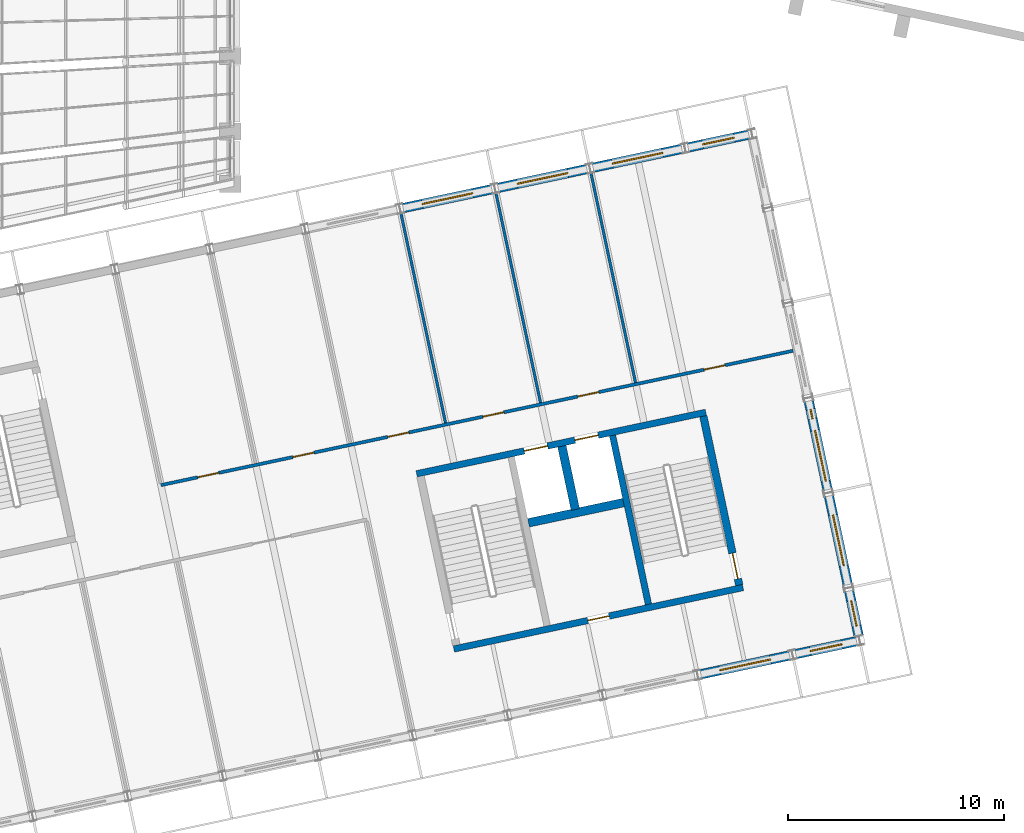
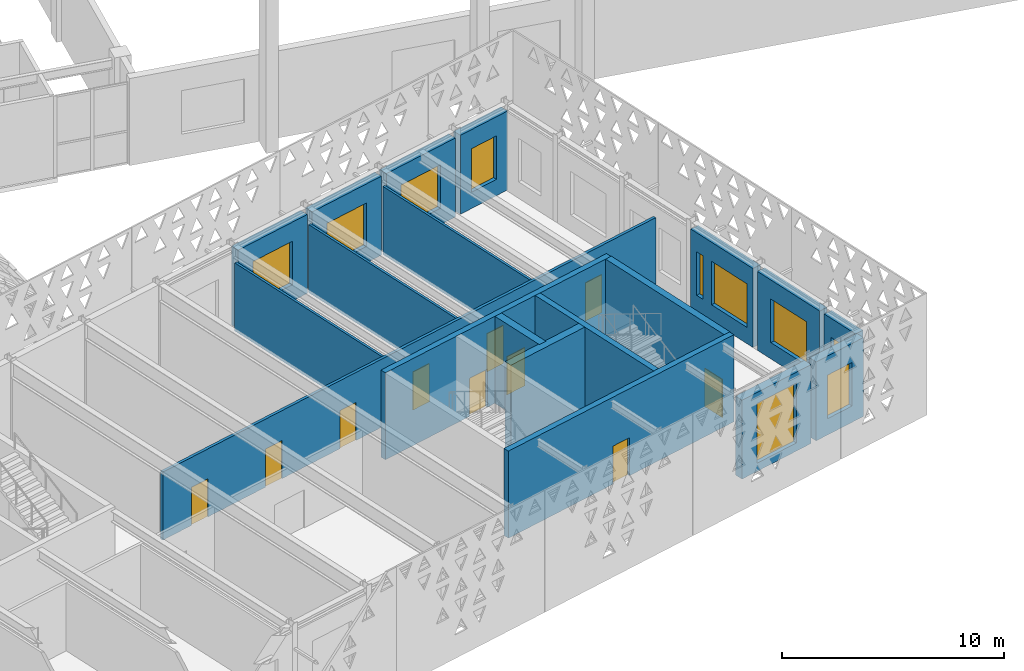
# One storey, part 133 of 182: 19 walls, 10 doors, 10 windows, 20 openings.
"""IFC4 building model written with IfcOpenShell, lengths in metres."""

from ifc_helpers import new_model, si_unit, direction, frame, frame_2d, origin, place, context, subcontext, project, spatial, rectangle, extrude, material, layer, layer_set, type_object, element, fill, save


model = new_model("IFC4")

# Units and contexts
model_context = context("Model", 3, precision=1e-05, world=origin(), true_north=direction((0.0, 1.0)))
body_context = subcontext(model_context, "Body", "Model", "MODEL_VIEW")
ifc_project = project(units=[si_unit("LENGTHUNIT", "METRE"), si_unit("AREAUNIT", "SQUARE_METRE"), si_unit("VOLUMEUNIT", "CUBIC_METRE"), si_unit("PLANEANGLEUNIT", "RADIAN"), si_unit("MASSUNIT", "GRAM", prefix="KILO")], contexts=[model_context])

# Site, building, storey
site_placement = place(None, origin())
site = spatial("IfcSite", under=ifc_project, at=site_placement, CompositionType="ELEMENT")
building_placement = place(site_placement, origin())
building = spatial("IfcBuilding", under=site, at=building_placement, Name="Okhra Congress Centre", CompositionType="ELEMENT")
storey_placement = place(building_placement, frame((0.0, 0.0, 7.199951171875)))
storey = spatial("IfcBuildingStorey", under=building, at=storey_placement, Name="L01", CompositionType="ELEMENT", Elevation=7.199951171875)

# Wall, opening, window
ifc_material_1 = material(Name="Insulated metal panel on steel stud (mineral wool, vapour barrier)", Category="steel")
ifc_layer_1 = layer(ifc_material_1, 0.449951171875)
ifc_layer_set_1 = layer_set([ifc_layer_1], Name="Insulated wall 450")
wall_type_1 = type_object("IfcWallType", Name="Insulated wall 450", PredefinedType="SOLIDWALL", material=ifc_layer_set_1)
wall_1_placement = place(storey_placement, frame((210.814208984375, 58.65087890625, 0.0), z_axis=(0.0, 0.0, 1.0), x_axis=(0.978146440129, 0.207917150959, 0.0)))
wall_1 = element("IfcWall", 1, at=wall_1_placement, inside=storey, type_object=wall_type_1, Name="External wall S35 L01", PredefinedType="SOLIDWALL", context=body_context, shape_type="SweptSolid", body=[
    extrude(rectangle(XDim=4.2001953125, YDim=0.449951171875, at=frame_2d((2.10009765625, 0.0))), origin(), (0.0, 0.0, 1.0), 4.35009765625),
])
opening_1_placement = place(wall_1_placement, frame((0.89990234375, 0.0, 0.449951171875)))
opening_1 = element("IfcOpeningElement", 2, at=opening_1_placement, cuts=wall_1, Name="Opening WN21", PredefinedType="OPENING", context=body_context, shape_type="SweptSolid", body=[
    extrude(rectangle(XDim=2.39990234375, YDim=3.300048828125, at=frame_2d((1.199951171875, 1.64990234375))), frame((0.0, 0.23486328125, 0.0), z_axis=(0.0, -1.0, 0.0), x_axis=(1.0, 0.0, 0.0)), (0.0, 0.0, 1.0), 0.469970703125),
])
ifc_material_2 = material(Name="Thermally broken aluminium frame, triple glazing", Category="aluminium")
window_type_1 = type_object("IfcWindowType", Name="Two-light window 2400x3300", PartitioningType="DOUBLE_PANEL_VERTICAL", PredefinedType="WINDOW", material=ifc_material_2)
window_1_placement = place(opening_1_placement, origin())
window_1 = element("IfcWindow", 3, at=window_1_placement, inside=storey, type_object=window_type_1, Name="BX.WIN.L01.35", OverallHeight=3.300048828125, OverallWidth=2.39990234375, PartitioningType="DOUBLE_PANEL_VERTICAL", PredefinedType="WINDOW", context=body_context, shape_type="SweptSolid", body=[
    extrude(rectangle(XDim=2.39990234375, YDim=3.300048828125, at=frame_2d((1.199951171875, 1.64990234375))), frame((0.0, 0.030029296875, 0.0), z_axis=(0.0, -1.0, 0.0), x_axis=(1.0, 0.0, 0.0)), (0.0, 0.0, 1.0), 0.06005859375),
])
fill(opening_1, window_1)

wall_2_placement = place(storey_placement, frame((215.216064453125, 59.58642578125, 0.0), z_axis=(0.0, 0.0, 1.0), x_axis=(0.978134239598, 0.207974540092, 0.0)))
wall_2 = element("IfcWall", 4, at=wall_2_placement, inside=storey, type_object=wall_type_1, Name="External wall S36 L01", PredefinedType="SOLIDWALL", context=body_context, shape_type="SweptSolid", body=[
    extrude(rectangle(XDim=2.874755859375, YDim=0.449951171875, at=frame_2d((1.4375, 0.0))), origin(), (0.0, 0.0, 1.0), 4.35009765625),
])
opening_2_placement = place(wall_2_placement, frame((0.6875, 0.0, 0.89990234375)))
opening_2 = element("IfcOpeningElement", 5, at=opening_2_placement, cuts=wall_2, Name="Opening WN20", PredefinedType="OPENING", context=body_context, shape_type="SweptSolid", body=[
    extrude(rectangle(XDim=1.5, YDim=2.39990234375, at=frame_2d((0.75, 1.199951171875))), frame((0.0, 0.23486328125, 0.0), z_axis=(0.0, -1.0, 0.0), x_axis=(1.0, 0.0, 0.0)), (0.0, 0.0, 1.0), 0.469970703125),
])
window_type_2 = type_object("IfcWindowType", Name="Fixed window 1500x2400", PartitioningType="SINGLE_PANEL", PredefinedType="WINDOW", material=ifc_material_2)
window_2_placement = place(opening_2_placement, origin())
window_2 = element("IfcWindow", 6, at=window_2_placement, inside=storey, type_object=window_type_2, Name="BX.WIN.L01.36", OverallHeight=2.39990234375, OverallWidth=1.5, PartitioningType="SINGLE_PANEL", PredefinedType="WINDOW", context=body_context, shape_type="SweptSolid", body=[
    extrude(rectangle(XDim=1.5, YDim=2.39990234375, at=frame_2d((0.75, 1.199951171875))), frame((0.0, 0.030029296875, 0.0), z_axis=(0.0, -1.0, 0.0), x_axis=(1.0, 0.0, 0.0)), (0.0, 0.0, 1.0), 0.06005859375),
])
fill(opening_2, window_2)

wall_3_placement = place(storey_placement, frame((197.02099609375, 80.25537109375, 0.0), z_axis=(0.0, 0.0, 1.0), x_axis=(0.97815826, 0.207861536591, 0.0)))
wall_3 = element("IfcWall", 7, at=wall_3_placement, inside=storey, type_object=wall_type_1, Name="External wall N33 L01", PredefinedType="SOLIDWALL", context=body_context, shape_type="SweptSolid", body=[
    extrude(rectangle(XDim=4.2001953125, YDim=0.449951171875, at=frame_2d((2.10009765625, 0.0))), origin(), (0.0, 0.0, 1.0), 4.35009765625),
])
opening_3_placement = place(wall_3_placement, frame((0.89990234375, 0.0, 0.89990234375)))
opening_3 = element("IfcOpeningElement", 8, at=opening_3_placement, cuts=wall_3, Name="Opening WN22", PredefinedType="OPENING", context=body_context, shape_type="SweptSolid", body=[
    extrude(rectangle(XDim=2.39990234375, YDim=2.39990234375, at=frame_2d((1.199951171875, 1.199951171875))), frame((0.0, 0.23486328125, 0.0), z_axis=(0.0, -1.0, 0.0), x_axis=(1.0, 0.0, 0.0)), (0.0, 0.0, 1.0), 0.469970703125),
])
window_type_3 = type_object("IfcWindowType", Name="Fixed window 2400x2400", PartitioningType="SINGLE_PANEL", PredefinedType="WINDOW", material=ifc_material_2)
window_3_placement = place(opening_3_placement, origin())
window_3 = element("IfcWindow", 9, at=window_3_placement, inside=storey, type_object=window_type_3, Name="BX.WIN.L01.60", OverallHeight=2.39990234375, OverallWidth=2.39990234375, PartitioningType="SINGLE_PANEL", PredefinedType="WINDOW", context=body_context, shape_type="SweptSolid", body=[
    extrude(rectangle(XDim=2.39990234375, YDim=2.39990234375, at=frame_2d((1.199951171875, 1.199951171875))), frame((0.0, 0.030029296875, 0.0), z_axis=(0.0, -1.0, 0.0), x_axis=(1.0, 0.0, 0.0)), (0.0, 0.0, 1.0), 0.06005859375),
])
fill(opening_3, window_3)

wall_4_placement = place(storey_placement, frame((201.4228515625, 81.19091796875, 0.0), z_axis=(0.0, 0.0, 1.0), x_axis=(0.978155748334, 0.207873355681, 0.0)))
wall_4 = element("IfcWall", 10, at=wall_4_placement, inside=storey, type_object=wall_type_1, Name="External wall N34 L01", PredefinedType="SOLIDWALL", context=body_context, shape_type="SweptSolid", body=[
    extrude(rectangle(XDim=4.199951171875, YDim=0.449951171875, at=frame_2d((2.10009765625, 0.0))), origin(), (0.0, 0.0, 1.0), 4.35009765625),
])
opening_4_placement = place(wall_4_placement, frame((0.89990234375, 0.0, 0.89990234375)))
opening_4 = element("IfcOpeningElement", 11, at=opening_4_placement, cuts=wall_4, Name="Opening WN22", PredefinedType="OPENING", context=body_context, shape_type="SweptSolid", body=[
    extrude(rectangle(XDim=2.39990234375, YDim=2.39990234375, at=frame_2d((1.199951171875, 1.199951171875))), frame((0.0, 0.23486328125, 0.0), z_axis=(0.0, -1.0, 0.0), x_axis=(1.0, 0.0, 0.0)), (0.0, 0.0, 1.0), 0.469970703125),
])
window_4_placement = place(opening_4_placement, origin())
window_4 = element("IfcWindow", 12, at=window_4_placement, inside=storey, type_object=window_type_3, Name="BX.WIN.L01.61", OverallHeight=2.39990234375, OverallWidth=2.39990234375, PartitioningType="SINGLE_PANEL", PredefinedType="WINDOW", context=body_context, shape_type="SweptSolid", body=[
    extrude(rectangle(XDim=2.39990234375, YDim=2.39990234375, at=frame_2d((1.199951171875, 1.199951171875))), frame((0.0, 0.030029296875, 0.0), z_axis=(0.0, -1.0, 0.0), x_axis=(1.0, 0.0, 0.0)), (0.0, 0.0, 1.0), 0.06005859375),
])
fill(opening_4, window_4)

wall_5_placement = place(storey_placement, frame((205.824462890625, 82.12646484375, 0.0), z_axis=(0.0, 0.0, 1.0), x_axis=(0.978143927149, 0.207928972925, 0.0)))
wall_5 = element("IfcWall", 13, at=wall_5_placement, inside=storey, type_object=wall_type_1, Name="External wall N35 L01", PredefinedType="SOLIDWALL", context=body_context, shape_type="SweptSolid", body=[
    extrude(rectangle(XDim=4.199951171875, YDim=0.449951171875, at=frame_2d((2.10009765625, 0.0))), origin(), (0.0, 0.0, 1.0), 4.35009765625),
])
opening_5_placement = place(wall_5_placement, frame((0.89990234375, 0.0, 0.89990234375)))
opening_5 = element("IfcOpeningElement", 14, at=opening_5_placement, cuts=wall_5, Name="Opening WN22", PredefinedType="OPENING", context=body_context, shape_type="SweptSolid", body=[
    extrude(rectangle(XDim=2.39990234375, YDim=2.39990234375, at=frame_2d((1.199951171875, 1.199951171875))), frame((0.0, 0.23486328125, 0.0), z_axis=(0.0, -1.0, 0.0), x_axis=(1.0, 0.0, 0.0)), (0.0, 0.0, 1.0), 0.469970703125),
])
window_5_placement = place(opening_5_placement, origin())
window_5 = element("IfcWindow", 15, at=window_5_placement, inside=storey, type_object=window_type_3, Name="BX.WIN.L01.62", OverallHeight=2.39990234375, OverallWidth=2.39990234375, PartitioningType="SINGLE_PANEL", PredefinedType="WINDOW", context=body_context, shape_type="SweptSolid", body=[
    extrude(rectangle(XDim=2.39990234375, YDim=2.39990234375, at=frame_2d((1.199951171875, 1.199951171875))), frame((0.0, 0.030029296875, 0.0), z_axis=(0.0, -1.0, 0.0), x_axis=(1.0, 0.0, 0.0)), (0.0, 0.0, 1.0), 0.06005859375),
])
fill(opening_5, window_5)

wall_6_placement = place(storey_placement, frame((210.22607421875, 83.06201171875, 0.0), z_axis=(0.0, 0.0, 1.0), x_axis=(0.978137912316, 0.207957266018, 0.0)))
wall_6 = element("IfcWall", 16, at=wall_6_placement, inside=storey, type_object=wall_type_1, Name="External wall N36 L01", PredefinedType="SOLIDWALL", context=body_context, shape_type="SweptSolid", body=[
    extrude(rectangle(XDim=2.875, YDim=0.449951171875, at=frame_2d((1.4375, 0.0))), origin(), (0.0, 0.0, 1.0), 4.35009765625),
])
opening_6_placement = place(wall_6_placement, frame((0.6875, 0.0, 0.89990234375)))
opening_6 = element("IfcOpeningElement", 17, at=opening_6_placement, cuts=wall_6, Name="Opening WN20", PredefinedType="OPENING", context=body_context, shape_type="SweptSolid", body=[
    extrude(rectangle(XDim=1.5, YDim=2.39990234375, at=frame_2d((0.75, 1.199951171875))), frame((0.0, 0.23486328125, 0.0), z_axis=(0.0, -1.0, 0.0), x_axis=(1.0, 0.0, 0.0)), (0.0, 0.0, 1.0), 0.469970703125),
])
window_6_placement = place(opening_6_placement, origin())
window_6 = element("IfcWindow", 18, at=window_6_placement, inside=storey, type_object=window_type_2, Name="BX.WIN.L01.63", OverallHeight=2.39990234375, OverallWidth=1.5, PartitioningType="SINGLE_PANEL", PredefinedType="WINDOW", context=body_context, shape_type="SweptSolid", body=[
    extrude(rectangle(XDim=1.5, YDim=2.39990234375, at=frame_2d((0.75, 1.199951171875))), frame((0.0, 0.030029296875, 0.0), z_axis=(0.0, -1.0, 0.0), x_axis=(1.0, 0.0, 0.0)), (0.0, 0.0, 1.0), 0.06005859375),
])
fill(opening_6, window_6)

wall_7_placement = place(storey_placement, frame((218.129150390625, 60.4306640625, 0.0), z_axis=(0.0, 0.0, 1.0), x_axis=(-0.207943944947, 0.978140744351, 0.0)))
wall_7 = element("IfcWall", 19, at=wall_7_placement, inside=storey, type_object=wall_type_1, Name="External wall E1 L01", PredefinedType="SOLIDWALL", context=body_context, shape_type="SweptSolid", body=[
    extrude(rectangle(XDim=2.125, YDim=0.449951171875, at=frame_2d((1.0625, 0.0))), origin(), (0.0, 0.0, 1.0), 4.35009765625),
])
opening_7_placement = place(wall_7_placement, frame((0.46240234375, 0.0, 0.89990234375)))
opening_7 = element("IfcOpeningElement", 20, at=opening_7_placement, cuts=wall_7, Name="Opening WN25", PredefinedType="OPENING", context=body_context, shape_type="SweptSolid", body=[
    extrude(rectangle(XDim=1.199951171875, YDim=2.39990234375, at=frame_2d((0.60009765625, 1.199951171875))), frame((0.0, 0.23486328125, 0.0), z_axis=(0.0, -1.0, 0.0), x_axis=(1.0, 0.0, 0.0)), (0.0, 0.0, 1.0), 0.469970703125),
])
window_type_4 = type_object("IfcWindowType", Name="Fixed window 1200x2400", PartitioningType="SINGLE_PANEL", PredefinedType="WINDOW", material=ifc_material_2)
window_7_placement = place(opening_7_placement, origin())
window_7 = element("IfcWindow", 21, at=window_7_placement, inside=storey, type_object=window_type_4, Name="BX.WIN.L01.72", OverallHeight=2.39990234375, OverallWidth=1.199951171875, PartitioningType="SINGLE_PANEL", PredefinedType="WINDOW", context=body_context, shape_type="SweptSolid", body=[
    extrude(rectangle(XDim=1.199951171875, YDim=2.39990234375, at=frame_2d((0.60009765625, 1.199951171875))), frame((0.0, 0.030029296875, 0.0), z_axis=(0.0, -1.0, 0.0), x_axis=(1.0, 0.0, 0.0)), (0.0, 0.0, 1.0), 0.06005859375),
])
fill(opening_7, window_7)

wall_8_placement = place(storey_placement, frame((217.625, 62.802734375, 0.0), z_axis=(0.0, 0.0, 1.0), x_axis=(-0.207928972925, 0.978143927149, 0.0)))
wall_8 = element("IfcWall", 22, at=wall_8_placement, inside=storey, type_object=wall_type_1, Name="External wall E2 L01", PredefinedType="SOLIDWALL", context=body_context, shape_type="SweptSolid", body=[
    extrude(rectangle(XDim=4.199951171875, YDim=0.449951171875, at=frame_2d((2.10009765625, 0.0))), origin(), (0.0, 0.0, 1.0), 4.35009765625),
])
opening_8_placement = place(wall_8_placement, frame((0.89990234375, 0.0, 0.89990234375)))
opening_8 = element("IfcOpeningElement", 23, at=opening_8_placement, cuts=wall_8, Name="Opening WN22", PredefinedType="OPENING", context=body_context, shape_type="SweptSolid", body=[
    extrude(rectangle(XDim=2.39990234375, YDim=2.39990234375, at=frame_2d((1.199951171875, 1.199951171875))), frame((0.0, 0.23486328125, 0.0), z_axis=(0.0, -1.0, 0.0), x_axis=(1.0, 0.0, 0.0)), (0.0, 0.0, 1.0), 0.469970703125),
])
window_8_placement = place(opening_8_placement, origin())
window_8 = element("IfcWindow", 24, at=window_8_placement, inside=storey, type_object=window_type_3, Name="BX.WIN.L01.73", OverallHeight=2.39990234375, OverallWidth=2.39990234375, PartitioningType="SINGLE_PANEL", PredefinedType="WINDOW", context=body_context, shape_type="SweptSolid", body=[
    extrude(rectangle(XDim=2.39990234375, YDim=2.39990234375, at=frame_2d((1.199951171875, 1.199951171875))), frame((0.0, 0.030029296875, 0.0), z_axis=(0.0, -1.0, 0.0), x_axis=(1.0, 0.0, 0.0)), (0.0, 0.0, 1.0), 0.06005859375),
])
fill(opening_8, window_8)

# Wall, openings, windows
wall_9_placement = place(storey_placement, frame((216.689208984375, 67.204345703125, 0.0), z_axis=(0.0, 0.0, 1.0), x_axis=(-0.207873355681, 0.978155748334, 0.0)))
wall_9 = element("IfcWall", 25, at=wall_9_placement, inside=storey, type_object=wall_type_1, Name="External wall E3 L01", PredefinedType="SOLIDWALL", context=body_context, shape_type="SweptSolid", body=[
    extrude(rectangle(XDim=4.199951171875, YDim=0.449951171875, at=frame_2d((2.10009765625, 0.0))), origin(), (0.0, 0.0, 1.0), 4.35009765625),
])
opening_9_placement = place(wall_9_placement, frame((0.39990234375, 0.0, 0.89990234375)))
opening_9 = element("IfcOpeningElement", 26, at=opening_9_placement, cuts=wall_9, Name="Opening WN26", PredefinedType="OPENING", context=body_context, shape_type="SweptSolid", body=[
    extrude(rectangle(XDim=2.405029296875, YDim=2.39990234375, at=frame_2d((1.20263671875, 1.199951171875))), frame((0.0, 0.23486328125, 0.0), z_axis=(0.0, -1.0, 0.0), x_axis=(1.0, 0.0, 0.0)), (0.0, 0.0, 1.0), 0.469970703125),
])
opening_10_placement = place(wall_9_placement, frame((3.35498046875, 0.0, 0.89990234375)))
opening_10 = element("IfcOpeningElement", 27, at=opening_10_placement, cuts=wall_9, Name="Opening WN27", PredefinedType="OPENING", context=body_context, shape_type="SweptSolid", body=[
    extrude(rectangle(XDim=0.445068359375, YDim=2.39990234375, at=frame_2d((0.22265625, 1.199951171875))), frame((0.0, 0.23486328125, 0.0), z_axis=(0.0, -1.0, 0.0), x_axis=(1.0, 0.0, 0.0)), (0.0, 0.0, 1.0), 0.469970703125),
])
window_type_5 = type_object("IfcWindowType", Name="Fixed window 2405x2400", PartitioningType="SINGLE_PANEL", PredefinedType="WINDOW", material=ifc_material_2)
window_9_placement = place(opening_9_placement, origin())
window_9 = element("IfcWindow", 28, at=window_9_placement, inside=storey, type_object=window_type_5, Name="BX.WIN.L01.74", OverallHeight=2.39990234375, OverallWidth=2.405029296875, PartitioningType="SINGLE_PANEL", PredefinedType="WINDOW", context=body_context, shape_type="SweptSolid", body=[
    extrude(rectangle(XDim=2.405029296875, YDim=2.39990234375, at=frame_2d((1.20263671875, 1.199951171875))), frame((0.0, 0.030029296875, 0.0), z_axis=(0.0, -1.0, 0.0), x_axis=(1.0, 0.0, 0.0)), (0.0, 0.0, 1.0), 0.06005859375),
])
fill(opening_9, window_9)
window_type_6 = type_object("IfcWindowType", Name="Fixed window 445x2400", PartitioningType="SINGLE_PANEL", PredefinedType="WINDOW", material=ifc_material_2)
window_10_placement = place(opening_10_placement, origin())
window_10 = element("IfcWindow", 29, at=window_10_placement, inside=storey, type_object=window_type_6, Name="BX.WIN.L01.75", OverallHeight=2.39990234375, OverallWidth=0.445068359375, PartitioningType="SINGLE_PANEL", PredefinedType="WINDOW", context=body_context, shape_type="SweptSolid", body=[
    extrude(rectangle(XDim=0.445068359375, YDim=2.39990234375, at=frame_2d((0.22265625, 1.199951171875))), frame((0.0, 0.030029296875, 0.0), z_axis=(0.0, -1.0, 0.0), x_axis=(1.0, 0.0, 0.0)), (0.0, 0.0, 1.0), 0.06005859375),
])
fill(opening_10, window_10)

# Walls
ifc_material_3 = material(Name="Gypsum board on steel studs", Category="steel")
ifc_layer_2 = layer(ifc_material_3, 0.125)
ifc_layer_set_2 = layer_set([ifc_layer_2], Name="Partition 125")
wall_type_2 = type_object("IfcWallType", Name="Partition 125", PredefinedType="PARTITIONING", material=ifc_layer_set_2)
wall_10_placement = place(storey_placement, frame((196.921142578125, 80.00390625, 0.0), z_axis=(0.0, 0.0, 1.0), x_axis=(0.20790935802, -0.978148096582, 0.0)))
element("IfcWall", 30, at=wall_10_placement, inside=storey, type_object=wall_type_2, Name="Partition N L01", PredefinedType="PARTITIONING", context=body_context, shape_type="SweptSolid", body=[
    extrude(rectangle(XDim=9.9248046875, YDim=0.125, at=frame_2d((4.96240234375, 0.0))), origin(), (0.0, 0.0, 1.0), 3.75),
])
wall_11_placement = place(storey_placement, frame((201.32275390625, 80.939697265625, 0.0), z_axis=(0.0, 0.0, 1.0), x_axis=(0.207904355568, -0.978149159861, 0.0)))
element("IfcWall", 31, at=wall_11_placement, inside=storey, type_object=wall_type_2, Name="Partition N L01", PredefinedType="PARTITIONING", context=body_context, shape_type="SweptSolid", body=[
    extrude(rectangle(XDim=9.925048828125, YDim=0.125, at=frame_2d((4.96240234375, 0.0))), origin(), (0.0, 0.0, 1.0), 3.75),
])
wall_12_placement = place(storey_placement, frame((205.724365234375, 81.875244140625, 0.0), z_axis=(0.0, 0.0, 1.0), x_axis=(0.207927890391, -0.978144157268, 0.0)))
element("IfcWall", 32, at=wall_12_placement, inside=storey, type_object=wall_type_2, Name="Partition N L01", PredefinedType="PARTITIONING", context=body_context, shape_type="SweptSolid", body=[
    extrude(rectangle(XDim=9.92529296875, YDim=0.125, at=frame_2d((4.962646484375, 0.0))), origin(), (0.0, 0.0, 1.0), 3.75),
])

# Wall, openings, doors
ifc_layer_3 = layer(ifc_material_3, 0.14990234375)
ifc_layer_set_3 = layer_set([ifc_layer_3], Name="Partition 150 EI 15")
wall_type_3 = type_object("IfcWallType", Name="Partition 150 EI 15", PredefinedType="PARTITIONING", material=ifc_layer_set_3)
wall_13_placement = place(storey_placement, frame((185.795166015625, 67.415771484375, 0.0), z_axis=(0.0, 0.0, 1.0), x_axis=(0.978148801969, 0.20790603937, 0.0)))
wall_13 = element("IfcWall", 33, at=wall_13_placement, inside=storey, type_object=wall_type_3, Name="Corridor wall N3 L01", PredefinedType="PARTITIONING", context=body_context, shape_type="SweptSolid", body=[
    extrude(rectangle(XDim=29.9501953125, YDim=0.14990234375, at=frame_2d((14.97509765625, 0.0))), origin(), (0.0, 0.0, 1.0), 3.75),
])
opening_11_placement = place(wall_13_placement, frame((1.75, 0.0, 0.0)))
opening_11 = element("IfcOpeningElement", 34, at=opening_11_placement, cuts=wall_13, Name="Opening L01-149", PredefinedType="OPENING", context=body_context, shape_type="SweptSolid", body=[
    extrude(rectangle(XDim=1.0, YDim=2.10009765625, at=frame_2d((0.5, 1.050048828125))), frame((0.0, 0.0849609375, 0.0), z_axis=(0.0, -1.0, 0.0), x_axis=(1.0, 0.0, 0.0)), (0.0, 0.0, 1.0), 0.169921875),
])
opening_12_placement = place(wall_13_placement, frame((6.25, 0.0, 0.0)))
opening_12 = element("IfcOpeningElement", 35, at=opening_12_placement, cuts=wall_13, Name="Opening L01-150", PredefinedType="OPENING", context=body_context, shape_type="SweptSolid", body=[
    extrude(rectangle(XDim=1.0, YDim=2.10009765625, at=frame_2d((0.5, 1.050048828125))), frame((0.0, 0.0849609375, 0.0), z_axis=(0.0, -1.0, 0.0), x_axis=(1.0, 0.0, 0.0)), (0.0, 0.0, 1.0), 0.169921875),
])
opening_13_placement = place(wall_13_placement, frame((10.75, 0.0, 0.0)))
opening_13 = element("IfcOpeningElement", 36, at=opening_13_placement, cuts=wall_13, Name="Opening L01-151", PredefinedType="OPENING", context=body_context, shape_type="SweptSolid", body=[
    extrude(rectangle(XDim=1.0, YDim=2.10009765625, at=frame_2d((0.5, 1.050048828125))), frame((0.0, 0.0849609375, 0.0), z_axis=(0.0, -1.0, 0.0), x_axis=(1.0, 0.0, 0.0)), (0.0, 0.0, 1.0), 0.169921875),
])
opening_14_placement = place(wall_13_placement, frame((15.25, 0.0, 0.0)))
opening_14 = element("IfcOpeningElement", 37, at=opening_14_placement, cuts=wall_13, Name="Opening L01-152", PredefinedType="OPENING", context=body_context, shape_type="SweptSolid", body=[
    extrude(rectangle(XDim=1.0, YDim=2.10009765625, at=frame_2d((0.5, 1.050048828125))), frame((0.0, 0.0849609375, 0.0), z_axis=(0.0, -1.0, 0.0), x_axis=(1.0, 0.0, 0.0)), (0.0, 0.0, 1.0), 0.169921875),
])
opening_15_placement = place(wall_13_placement, frame((19.75, 0.0, 0.0)))
opening_15 = element("IfcOpeningElement", 38, at=opening_15_placement, cuts=wall_13, Name="Opening L01-153", PredefinedType="OPENING", context=body_context, shape_type="SweptSolid", body=[
    extrude(rectangle(XDim=1.0, YDim=2.10009765625, at=frame_2d((0.5, 1.050048828125))), frame((0.0, 0.0849609375, 0.0), z_axis=(0.0, -1.0, 0.0), x_axis=(1.0, 0.0, 0.0)), (0.0, 0.0, 1.0), 0.169921875),
])
opening_16_placement = place(wall_13_placement, frame((25.72509765625, 0.0, 0.0)))
opening_16 = element("IfcOpeningElement", 39, at=opening_16_placement, cuts=wall_13, Name="Opening L01-154", PredefinedType="OPENING", context=body_context, shape_type="SweptSolid", body=[
    extrude(rectangle(XDim=1.0, YDim=2.10009765625, at=frame_2d((0.5, 1.050048828125))), frame((0.0, 0.0849609375, 0.0), z_axis=(0.0, -1.0, 0.0), x_axis=(1.0, 0.0, 0.0)), (0.0, 0.0, 1.0), 0.169921875),
])
ifc_material_4 = material(Name="Timber door leaf in steel frame", Category="steel")
door_type_1 = type_object("IfcDoorType", Name="Single swing door 1000x2100", OperationType="NOTDEFINED", PredefinedType="DOOR", material=ifc_material_4)
door_1_placement = place(opening_11_placement, origin())
door_1 = element("IfcDoor", 40, at=door_1_placement, inside=storey, type_object=door_type_1, Name="Door L01-149", OperationType="SINGLE_SWING_RIGHT", OverallHeight=2.10009765625, OverallWidth=1.0, PredefinedType="DOOR", context=body_context, shape_type="SweptSolid", body=[
    extrude(rectangle(XDim=1.0, YDim=2.10009765625, at=frame_2d((0.5, 1.050048828125))), frame((0.0, 0.02490234375, 0.0), z_axis=(0.0, -1.0, 0.0), x_axis=(1.0, 0.0, 0.0)), (0.0, 0.0, 1.0), 0.050048828125),
])
fill(opening_11, door_1)
door_2_placement = place(opening_13_placement, origin())
door_2 = element("IfcDoor", 41, at=door_2_placement, inside=storey, type_object=door_type_1, Name="Door L01-151", OperationType="SINGLE_SWING_RIGHT", OverallHeight=2.10009765625, OverallWidth=1.0, PredefinedType="DOOR", context=body_context, shape_type="SweptSolid", body=[
    extrude(rectangle(XDim=1.0, YDim=2.10009765625, at=frame_2d((0.5, 1.050048828125))), frame((0.0, 0.02490234375, 0.0), z_axis=(0.0, -1.0, 0.0), x_axis=(1.0, 0.0, 0.0)), (0.0, 0.0, 1.0), 0.050048828125),
])
fill(opening_13, door_2)
door_3_placement = place(opening_14_placement, origin())
door_3 = element("IfcDoor", 42, at=door_3_placement, inside=storey, type_object=door_type_1, Name="Door L01-152", OperationType="SINGLE_SWING_LEFT", OverallHeight=2.10009765625, OverallWidth=1.0, PredefinedType="DOOR", context=body_context, shape_type="SweptSolid", body=[
    extrude(rectangle(XDim=1.0, YDim=2.10009765625, at=frame_2d((0.5, 1.050048828125))), frame((0.0, 0.02490234375, 0.0), z_axis=(0.0, -1.0, 0.0), x_axis=(1.0, 0.0, 0.0)), (0.0, 0.0, 1.0), 0.050048828125),
])
fill(opening_14, door_3)
door_4_placement = place(opening_15_placement, origin())
door_4 = element("IfcDoor", 43, at=door_4_placement, inside=storey, type_object=door_type_1, Name="Door L01-153", OperationType="SINGLE_SWING_RIGHT", OverallHeight=2.10009765625, OverallWidth=1.0, PredefinedType="DOOR", context=body_context, shape_type="SweptSolid", body=[
    extrude(rectangle(XDim=1.0, YDim=2.10009765625, at=frame_2d((0.5, 1.050048828125))), frame((0.0, 0.02490234375, 0.0), z_axis=(0.0, -1.0, 0.0), x_axis=(1.0, 0.0, 0.0)), (0.0, 0.0, 1.0), 0.050048828125),
])
fill(opening_15, door_4)
door_5_placement = place(opening_16_placement, origin())
door_5 = element("IfcDoor", 44, at=door_5_placement, inside=storey, type_object=door_type_1, Name="Door L01-154", OperationType="SINGLE_SWING_LEFT", OverallHeight=2.10009765625, OverallWidth=1.0, PredefinedType="DOOR", context=body_context, shape_type="SweptSolid", body=[
    extrude(rectangle(XDim=1.0, YDim=2.10009765625, at=frame_2d((0.5, 1.050048828125))), frame((0.0, 0.02490234375, 0.0), z_axis=(0.0, -1.0, 0.0), x_axis=(1.0, 0.0, 0.0)), (0.0, 0.0, 1.0), 0.050048828125),
])
fill(opening_16, door_5)
ifc_material_5 = material(Name="Steel fire door leaf in steel frame, intumescent seals", Category="steel")
door_type_2 = type_object("IfcDoorType", Name="Steel fire door 1000x2100 EI 30", OperationType="NOTDEFINED", PredefinedType="DOOR", material=ifc_material_5)
door_6_placement = place(opening_12_placement, origin())
door_6 = element("IfcDoor", 45, at=door_6_placement, inside=storey, type_object=door_type_2, Name="Door L01-150", OperationType="SINGLE_SWING_LEFT", OverallHeight=2.10009765625, OverallWidth=1.0, PredefinedType="DOOR", context=body_context, shape_type="SweptSolid", body=[
    extrude(rectangle(XDim=1.0, YDim=2.10009765625, at=frame_2d((0.5, 1.050048828125))), frame((0.0, 0.02490234375, 0.0), z_axis=(0.0, -1.0, 0.0), x_axis=(1.0, 0.0, 0.0)), (0.0, 0.0, 1.0), 0.050048828125),
])
fill(opening_12, door_6)

# Wall, opening, door
ifc_material_6 = material(Name="Concrete C35/45", Category="concrete")
ifc_layer_4 = layer(ifc_material_6, 0.300048828125)
ifc_layer_set_4 = layer_set([ifc_layer_4], Name="RC core wall 300 REI 120 C35/45")
wall_type_4 = type_object("IfcWallType", Name="RC core wall 300 REI 120 C35/45", PredefinedType="SHEAR", material=ifc_layer_set_4)
wall_14_placement = place(storey_placement, frame((199.37060546875, 59.822265625, 0.0), z_axis=(0.0, 0.0, 1.0), x_axis=(0.978147662755, 0.20791139903, 0.0)))
wall_14 = element("IfcWall", 46, at=wall_14_placement, inside=storey, type_object=wall_type_4, Name="BX.WALL.L01.K5S", PredefinedType="SHEAR", context=body_context, shape_type="SweptSolid", body=[
    extrude(rectangle(XDim=13.699951171875, YDim=0.300048828125, at=frame_2d((6.85009765625, 0.0))), origin(), (0.0, 0.0, 1.0), 4.800048828125),
])
opening_17_placement = place(wall_14_placement, frame((6.35009765625, 0.0, 0.0)))
opening_17 = element("IfcOpeningElement", 47, at=opening_17_placement, cuts=wall_14, Name="Opening L01-121", PredefinedType="OPENING", context=body_context, shape_type="SweptSolid", body=[
    extrude(rectangle(XDim=1.0, YDim=2.10009765625, at=frame_2d((0.5, 1.050048828125))), frame((0.0, 0.159912109375, 0.0), z_axis=(0.0, -1.0, 0.0), x_axis=(1.0, 0.0, 0.0)), (0.0, 0.0, 1.0), 0.320068359375),
])
door_7_placement = place(opening_17_placement, origin())
door_7 = element("IfcDoor", 48, at=door_7_placement, inside=storey, type_object=door_type_2, Name="Door L01-121", OperationType="SINGLE_SWING_RIGHT", OverallHeight=2.10009765625, OverallWidth=1.0, PredefinedType="DOOR", context=body_context, shape_type="SweptSolid", body=[
    extrude(rectangle(XDim=1.0, YDim=2.10009765625, at=frame_2d((0.5, 1.050048828125))), frame((0.0, 0.02490234375, 0.0), z_axis=(0.0, -1.0, 0.0), x_axis=(1.0, 0.0, 0.0)), (0.0, 0.0, 1.0), 0.050048828125),
])
fill(opening_17, door_7)

# Wall, openings, doors
wall_15_placement = place(storey_placement, frame((197.64501953125, 67.94091796875, 0.0), z_axis=(0.0, 0.0, 1.0), x_axis=(0.978147662755, 0.20791139903, 0.0)))
wall_15 = element("IfcWall", 49, at=wall_15_placement, inside=storey, type_object=wall_type_4, Name="BX.WALL.L01.K5T", PredefinedType="SHEAR", context=body_context, shape_type="SweptSolid", body=[
    extrude(rectangle(XDim=13.699951171875, YDim=0.300048828125, at=frame_2d((6.85009765625, 0.0))), origin(), (0.0, 0.0, 1.0), 4.800048828125),
])
opening_18_placement = place(wall_15_placement, frame((5.10009765625, 0.0, 0.0)))
opening_18 = element("IfcOpeningElement", 50, at=opening_18_placement, cuts=wall_15, Name="Opening L01-117", PredefinedType="OPENING", context=body_context, shape_type="SweptSolid", body=[
    extrude(rectangle(XDim=1.10009765625, YDim=2.10009765625, at=frame_2d((0.550048828125, 1.050048828125))), frame((0.0, 0.159912109375, 0.0), z_axis=(0.0, -1.0, 0.0), x_axis=(1.0, 0.0, 0.0)), (0.0, 0.0, 1.0), 0.320068359375),
])
opening_19_placement = place(wall_15_placement, frame((7.5, 0.0, 0.0)))
opening_19 = element("IfcOpeningElement", 51, at=opening_19_placement, cuts=wall_15, Name="Opening L01-118", PredefinedType="OPENING", context=body_context, shape_type="SweptSolid", body=[
    extrude(rectangle(XDim=1.10009765625, YDim=2.10009765625, at=frame_2d((0.550048828125, 1.050048828125))), frame((0.0, 0.159912109375, 0.0), z_axis=(0.0, -1.0, 0.0), x_axis=(1.0, 0.0, 0.0)), (0.0, 0.0, 1.0), 0.320068359375),
])
ifc_material_7 = material(Name="Stainless steel sliding landing door leaves", Category="steel")
door_type_3 = type_object("IfcDoorType", Name="Lift landing door 1100x2100 EI 30", OperationType="DOUBLE_DOOR_SLIDING", PredefinedType="DOOR", material=ifc_material_7)
door_8_placement = place(opening_18_placement, origin())
door_8 = element("IfcDoor", 52, at=door_8_placement, inside=storey, type_object=door_type_3, Name="Door L01-117", OperationType="DOUBLE_DOOR_SLIDING", OverallHeight=2.10009765625, OverallWidth=1.10009765625, PredefinedType="DOOR", context=body_context, shape_type="SweptSolid", body=[
    extrude(rectangle(XDim=1.10009765625, YDim=2.10009765625, at=frame_2d((0.550048828125, 1.050048828125))), frame((0.0, 0.02490234375, 0.0), z_axis=(0.0, -1.0, 0.0), x_axis=(1.0, 0.0, 0.0)), (0.0, 0.0, 1.0), 0.050048828125),
])
fill(opening_18, door_8)
door_9_placement = place(opening_19_placement, origin())
door_9 = element("IfcDoor", 53, at=door_9_placement, inside=storey, type_object=door_type_3, Name="Door L01-118", OperationType="DOUBLE_DOOR_SLIDING", OverallHeight=2.10009765625, OverallWidth=1.10009765625, PredefinedType="DOOR", context=body_context, shape_type="SweptSolid", body=[
    extrude(rectangle(XDim=1.10009765625, YDim=2.10009765625, at=frame_2d((0.550048828125, 1.050048828125))), frame((0.0, 0.02490234375, 0.0), z_axis=(0.0, -1.0, 0.0), x_axis=(1.0, 0.0, 0.0)), (0.0, 0.0, 1.0), 0.050048828125),
])
fill(opening_19, door_9)

# Walls
wall_16_placement = place(storey_placement, frame((208.387451171875, 61.89208984375, 0.0), z_axis=(0.0, 0.0, 1.0), x_axis=(-0.207915693476, 0.978146749934, 0.0)))
element("IfcWall", 54, at=wall_16_placement, inside=storey, type_object=wall_type_4, Name="BX.WALL.L01.K5P2", PredefinedType="SHEAR", context=body_context, shape_type="SweptSolid", body=[
    extrude(rectangle(XDim=8.0, YDim=0.300048828125, at=frame_2d((4.0, 0.0))), origin(), (0.0, 0.0, 1.0), 4.800048828125),
])
ifc_layer_5 = layer(ifc_material_6, 0.39990234375)
ifc_layer_set_5 = layer_set([ifc_layer_5], Name="RC core wall 400 REI 120 C35/45")
wall_type_5 = type_object("IfcWallType", Name="RC core wall 400 REI 120 C35/45", PredefinedType="SHEAR", material=ifc_layer_set_5)
wall_17_placement = place(storey_placement, frame((205.000244140625, 66.283935546875, 0.0), z_axis=(0.0, 0.0, 1.0), x_axis=(-0.207933702079, 0.978142921837, 0.0)))
element("IfcWall", 55, at=wall_17_placement, inside=storey, type_object=wall_type_5, Name="BX.WALL.L01.K5D", PredefinedType="SHEAR", context=body_context, shape_type="SweptSolid", body=[
    extrude(rectangle(XDim=3.0, YDim=0.39990234375, at=frame_2d((1.5, 0.0))), origin(), (0.0, 0.0, 1.0), 4.800048828125),
])
wall_18_placement = place(storey_placement, frame((202.83056640625, 65.66943359375, 0.0), z_axis=(0.0, 0.0, 1.0), x_axis=(0.978149611564, 0.20790223038, 0.0)))
element("IfcWall", 56, at=wall_18_placement, inside=storey, type_object=wall_type_5, Name="BX.WALL.L01.K5R", PredefinedType="SHEAR", context=body_context, shape_type="SweptSolid", body=[
    extrude(rectangle(XDim=4.5, YDim=0.39990234375, at=frame_2d((2.25, 0.0))), origin(), (0.0, 0.0, 1.0), 4.800048828125),
])

# Wall, opening, door
ifc_material_8 = material(Name="Concrete C30/37", Category="concrete")
ifc_layer_6 = layer(ifc_material_8, 0.35009765625)
ifc_layer_set_6 = layer_set([ifc_layer_6], Name="RC wall 350 REI 120 C30/37")
wall_type_6 = type_object("IfcWallType", Name="RC wall 350 REI 120 C30/37", PredefinedType="SOLIDWALL", material=ifc_layer_set_6)
wall_19_placement = place(storey_placement, frame((212.593505859375, 62.7861328125, 0.0), z_axis=(0.0, 0.0, 1.0), x_axis=(-0.207915693476, 0.978146749934, 0.0)))
wall_19 = element("IfcWall", 57, at=wall_19_placement, inside=storey, type_object=wall_type_6, Name="BX.WALL.L01.K5E", PredefinedType="SOLIDWALL", context=body_context, shape_type="SweptSolid", body=[
    extrude(rectangle(XDim=8.0, YDim=0.35009765625, at=frame_2d((4.0, 0.0))), origin(), (0.0, 0.0, 1.0), 4.800048828125),
])
opening_20_placement = place(wall_19_placement, frame((0.300048828125, 0.0, 0.0)))
opening_20 = element("IfcOpeningElement", 58, at=opening_20_placement, cuts=wall_19, Name="Opening L01-120", PredefinedType="OPENING", context=body_context, shape_type="SweptSolid", body=[
    extrude(rectangle(XDim=1.199951171875, YDim=2.10009765625, at=frame_2d((0.60009765625, 1.050048828125))), frame((0.0, 0.18505859375, 0.0), z_axis=(0.0, -1.0, 0.0), x_axis=(1.0, 0.0, 0.0)), (0.0, 0.0, 1.0), 0.3701171875),
])
door_type_4 = type_object("IfcDoorType", Name="Steel fire door 1200x2100 EI 30", OperationType="NOTDEFINED", PredefinedType="DOOR", material=ifc_material_5)
door_10_placement = place(opening_20_placement, frame((1.199951171875, 0.0, 0.0), z_axis=(0.0, 0.0, 1.0), x_axis=(-1.0, 0.0, 0.0)))
door_10 = element("IfcDoor", 59, at=door_10_placement, inside=storey, type_object=door_type_4, Name="Door L01-120", OperationType="SINGLE_SWING_LEFT", OverallHeight=2.10009765625, OverallWidth=1.199951171875, PredefinedType="DOOR", context=body_context, shape_type="SweptSolid", body=[
    extrude(rectangle(XDim=1.199951171875, YDim=2.10009765625, at=frame_2d((0.60009765625, 1.050048828125))), frame((0.0, 0.02490234375, 0.0), z_axis=(0.0, -1.0, 0.0), x_axis=(1.0, 0.0, 0.0)), (0.0, 0.0, 1.0), 0.050048828125),
])
fill(opening_20, door_10)

save(model, "model.ifc")
